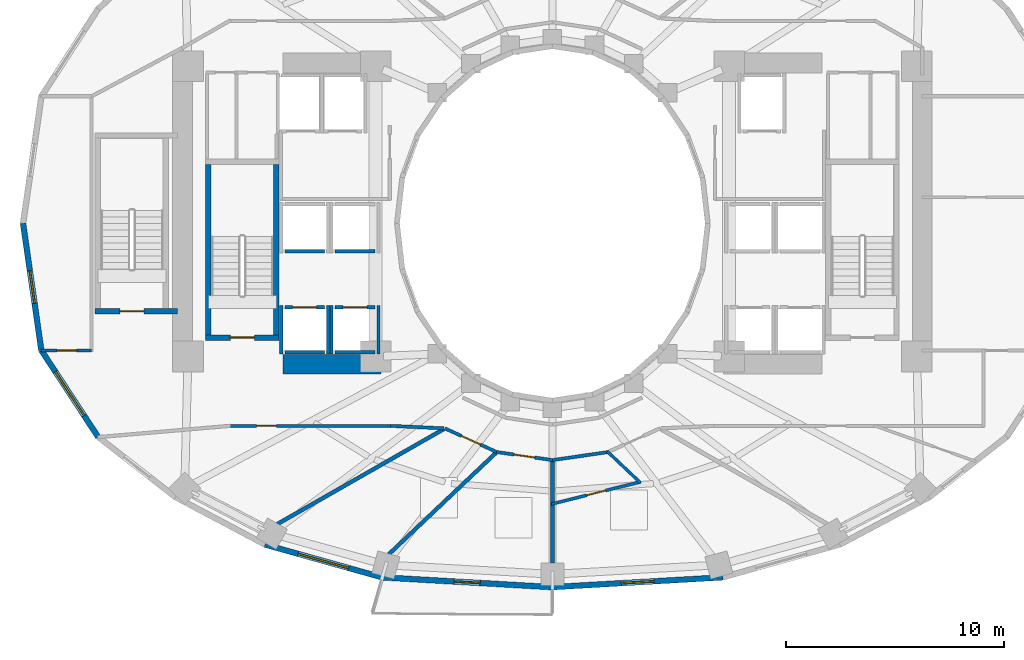
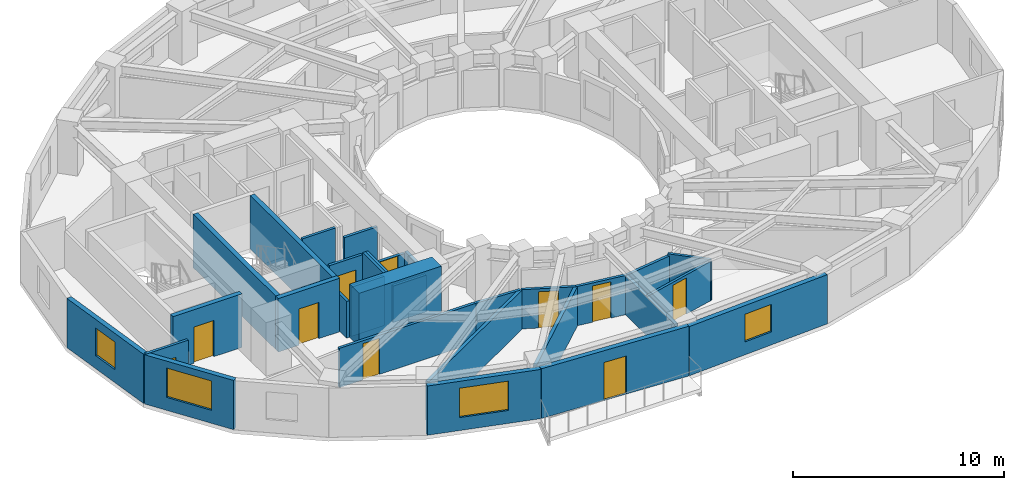
# One storey, part 3 of 9: 31 walls, 10 doors, 4 windows, 14 openings.
"""IFC4 building model written with IfcOpenShell, lengths in metres."""

from ifc_helpers import new_model, si_unit, direction, frame, frame_2d, origin, place, context, subcontext, project, spatial, rectangle, extrude, material, layer, layer_set, type_object, element, fill, save


model = new_model("IFC4")

# Units and contexts
model_context = context("Model", 3, precision=1e-05, world=origin(), true_north=direction((0.0, 1.0)))
body_context = subcontext(model_context, "Body", "Model", "MODEL_VIEW")
ifc_project = project(units=[si_unit("LENGTHUNIT", "METRE"), si_unit("AREAUNIT", "SQUARE_METRE"), si_unit("VOLUMEUNIT", "CUBIC_METRE"), si_unit("PLANEANGLEUNIT", "RADIAN"), si_unit("MASSUNIT", "GRAM", prefix="KILO")], contexts=[model_context])

# Site, building, storey
site_placement = place(None, origin())
site = spatial("IfcSite", under=ifc_project, at=site_placement, CompositionType="ELEMENT")
building_placement = place(site_placement, origin())
building = spatial("IfcBuilding", under=site, at=building_placement, Name="Solvane Sanctuary Tower", CompositionType="ELEMENT")
storey_placement = place(building_placement, frame((0.0, 0.0, 79.39990234375)))
storey = spatial("IfcBuildingStorey", under=building, at=storey_placement, Name="L23", CompositionType="ELEMENT", Elevation=79.39990234375)

# Wall
ifc_material_1 = material(Name="Concrete C70/85", Category="concrete")
ifc_layer_1 = layer(ifc_material_1, 0.89990234375, Name="Concrete C70/85")
ifc_layer_set_1 = layer_set([ifc_layer_1], Name="Concrete C70/85")
wall_type_1 = type_object("IfcWallType", Name="Wall W-CORE-900", PredefinedType="SHEAR", material=ifc_layer_set_1)
wall_1_placement = place(storey_placement, frame((19.64990234375, 16.550048828125, 0.0), z_axis=(0.0, 0.0, 1.0), x_axis=(1.0, 0.0, 0.0)))
element("IfcWall", 1, at=wall_1_placement, inside=storey, type_object=wall_type_1, Name="L23 Core Shear Wall WC-S", PredefinedType="SHEAR", context=body_context, shape_type="SweptSolid", body=[
    extrude(rectangle(XDim=4.5, YDim=0.89990234375, at=frame_2d((2.25, 0.0))), origin(), (0.0, 0.0, 1.0), 3.10009765625),
])

# Wall, opening, door
ifc_material_2 = material(Name="Acoustic Gypsum Partition Board")
ifc_layer_2 = layer(ifc_material_2, 0.14990234375, Name="Acoustic Gypsum Partition Board")
ifc_layer_set_2 = layer_set([ifc_layer_2], Name="Acoustic Gypsum Partition Board")
wall_type_2 = type_object("IfcWallType", Name="Wall W-CORR-150", PredefinedType="PARTITIONING", material=ifc_layer_set_2)
wall_2_placement = place(storey_placement, frame((8.558349609375, 17.1748046875, 0.0), z_axis=(0.0, 0.0, 1.0), x_axis=(1.0, 0.0, 0.0)))
wall_2 = element("IfcWall", 2, at=wall_2_placement, inside=storey, type_object=wall_type_2, Name="L23 West Shoulder South Wall", PredefinedType="PARTITIONING", context=body_context, shape_type="SweptSolid", body=[
    extrude(rectangle(XDim=2.321533203125, YDim=0.14990234375, at=frame_2d((1.16064453125, 0.0))), origin(), (0.0, 0.0, 1.0), 2.85498046875),
])
opening_1_placement = place(wall_2_placement, frame((0.739013671875, 0.0, 0.0)))
opening_1 = element("IfcOpeningElement", 3, at=opening_1_placement, cuts=wall_2, Name="Opening D-L23-14", PredefinedType="OPENING", context=body_context, shape_type="SweptSolid", body=[
    extrude(rectangle(XDim=0.89990234375, YDim=2.10009765625, at=frame_2d((0.449951171875, 1.050048828125))), frame((0.0, 0.0849609375, 0.0), z_axis=(0.0, -1.0, 0.0), x_axis=(1.0, 0.0, 0.0)), (0.0, 0.0, 1.0), 0.169921875),
])
ifc_material_3 = material(Name="Engineered Tropical Hardwood", Category="wood")
door_type_1 = type_object("IfcDoorType", Name="Door D-WET-900", OperationType="NOTDEFINED", PredefinedType="DOOR", material=ifc_material_3)
door_1_placement = place(opening_1_placement, origin())
door_1 = element("IfcDoor", 4, at=door_1_placement, inside=storey, type_object=door_type_1, Name="L23 West Shoulder South Door", OperationType="SINGLE_SWING_RIGHT", OverallHeight=2.10009765625, OverallWidth=0.89990234375, PredefinedType="DOOR", context=body_context, shape_type="SweptSolid", body=[
    extrude(rectangle(XDim=0.89990234375, YDim=2.10009765625, at=frame_2d((0.449951171875, 1.050048828125))), frame((0.0, 0.02490234375, 0.0), z_axis=(0.0, -1.0, 0.0), x_axis=(1.0, 0.0, 0.0)), (0.0, 0.0, 1.0), 0.050048828125),
])
fill(opening_1, door_1)

# Wall
wall_3_placement = place(storey_placement, frame((27.02001953125, 13.606201171875, 0.0), z_axis=(0.0, 0.0, 1.0), x_axis=(-0.998877427952, 0.047369651964, 0.0)))
element("IfcWall", 5, at=wall_3_placement, inside=storey, type_object=wall_type_2, Name="L23 SW Corner Throat Wall", PredefinedType="PARTITIONING", context=body_context, shape_type="SweptSolid", body=[
    extrude(rectangle(XDim=2.4326171875, YDim=0.14990234375, at=frame_2d((1.21630859375, 0.0))), origin(), (0.0, 0.0, 1.0), 2.272216796875),
])

# Wall, opening, door
wall_4_placement = place(storey_placement, frame((17.14990234375, 13.719970703125, 0.0), z_axis=(0.0, 0.0, 1.0), x_axis=(1.0, 0.0, 0.0)))
wall_4 = element("IfcWall", 6, at=wall_4_placement, inside=storey, type_object=wall_type_2, Name="L23 SW Corner Corridor Wall", PredefinedType="PARTITIONING", context=body_context, shape_type="SweptSolid", body=[
    extrude(rectangle(XDim=7.52001953125, YDim=0.14990234375, at=frame_2d((3.760009765625, 0.0))), origin(), (0.0, 0.0, 1.0), 2.272216796875),
])
opening_2_placement = place(wall_4_placement, frame((1.300048828125, 0.0, 0.0)))
opening_2 = element("IfcOpeningElement", 7, at=opening_2_placement, cuts=wall_4, Name="Opening D-L23-17", PredefinedType="OPENING", context=body_context, shape_type="SweptSolid", body=[
    extrude(rectangle(XDim=0.89990234375, YDim=2.10009765625, at=frame_2d((0.449951171875, 1.050048828125))), frame((0.0, 0.0849609375, 0.0), z_axis=(0.0, -1.0, 0.0), x_axis=(1.0, 0.0, 0.0)), (0.0, 0.0, 1.0), 0.169921875),
])
door_2_placement = place(opening_2_placement, origin())
door_2 = element("IfcDoor", 8, at=door_2_placement, inside=storey, type_object=door_type_1, Name="L23 SW Corner Salon Door", OperationType="SINGLE_SWING_LEFT", OverallHeight=2.10009765625, OverallWidth=0.89990234375, PredefinedType="DOOR", context=body_context, shape_type="SweptSolid", body=[
    extrude(rectangle(XDim=0.89990234375, YDim=2.10009765625, at=frame_2d((0.449951171875, 1.050048828125))), frame((0.0, 0.02490234375, 0.0), z_axis=(0.0, -1.0, 0.0), x_axis=(1.0, 0.0, 0.0)), (0.0, 0.0, 1.0), 0.050048828125),
])
fill(opening_2, door_2)

wall_5_placement = place(storey_placement, frame((27.069091796875, 13.607421875, 0.0), z_axis=(0.0, 0.0, 1.0), x_axis=(0.909747571199, -0.415161843982, 0.0)))
wall_5 = element("IfcWall", 9, at=wall_5_placement, inside=storey, type_object=wall_type_2, Name="L23 Unit Corridor Wall S1", PredefinedType="PARTITIONING", context=body_context, shape_type="SweptSolid", body=[
    extrude(rectangle(XDim=2.625, YDim=0.14990234375, at=frame_2d((1.3125, 0.0))), origin(), (0.0, 0.0, 1.0), 2.272216796875),
])
opening_3_placement = place(wall_5_placement, frame((0.837646484375, 0.0, 0.0)))
opening_3 = element("IfcOpeningElement", 10, at=opening_3_placement, cuts=wall_5, Name="Opening D-L23-23", PredefinedType="OPENING", context=body_context, shape_type="SweptSolid", body=[
    extrude(rectangle(XDim=0.949951171875, YDim=2.10009765625, at=frame_2d((0.47509765625, 1.050048828125))), frame((0.0, 0.0849609375, 0.0), z_axis=(0.0, -1.0, 0.0), x_axis=(1.0, 0.0, 0.0)), (0.0, 0.0, 1.0), 0.169921875),
])
door_type_2 = type_object("IfcDoorType", Name="Door D-ROOM-950", OperationType="NOTDEFINED", PredefinedType="DOOR", material=ifc_material_3)
door_3_placement = place(opening_3_placement, origin())
door_3 = element("IfcDoor", 11, at=door_3_placement, inside=storey, type_object=door_type_2, Name="L23 Unit Entrance Door S1", OperationType="SINGLE_SWING_LEFT", OverallHeight=2.10009765625, OverallWidth=0.949951171875, PredefinedType="DOOR", context=body_context, shape_type="SweptSolid", body=[
    extrude(rectangle(XDim=0.949951171875, YDim=2.10009765625, at=frame_2d((0.47509765625, 1.050048828125))), frame((0.0, 0.02490234375, 0.0), z_axis=(0.0, -1.0, 0.0), x_axis=(1.0, 0.0, 0.0)), (0.0, 0.0, 1.0), 0.050048828125),
])
fill(opening_3, door_3)

wall_6_placement = place(storey_placement, frame((29.444091796875, 12.521728515625, 0.0), z_axis=(0.0, 0.0, 1.0), x_axis=(0.989637894688, -0.143585644814, 0.0)))
wall_6 = element("IfcWall", 12, at=wall_6_placement, inside=storey, type_object=wall_type_2, Name="L23 Unit Corridor Wall S2", PredefinedType="PARTITIONING", context=body_context, shape_type="SweptSolid", body=[
    extrude(rectangle(XDim=2.589599609375, YDim=0.14990234375, at=frame_2d((1.294921875, 0.0))), origin(), (0.0, 0.0, 1.0), 2.272216796875),
])
opening_4_placement = place(wall_6_placement, frame((0.81982421875, 0.0, 0.0)))
opening_4 = element("IfcOpeningElement", 13, at=opening_4_placement, cuts=wall_6, Name="Opening D-L23-24", PredefinedType="OPENING", context=body_context, shape_type="SweptSolid", body=[
    extrude(rectangle(XDim=0.949951171875, YDim=2.10009765625, at=frame_2d((0.47509765625, 1.050048828125))), frame((0.0, 0.0849609375, 0.0), z_axis=(0.0, -1.0, 0.0), x_axis=(1.0, 0.0, 0.0)), (0.0, 0.0, 1.0), 0.169921875),
])
door_4_placement = place(opening_4_placement, origin())
door_4 = element("IfcDoor", 14, at=door_4_placement, inside=storey, type_object=door_type_2, Name="L23 Unit Entrance Door S2", OperationType="SINGLE_SWING_RIGHT", OverallHeight=2.10009765625, OverallWidth=0.949951171875, PredefinedType="DOOR", context=body_context, shape_type="SweptSolid", body=[
    extrude(rectangle(XDim=0.949951171875, YDim=2.10009765625, at=frame_2d((0.47509765625, 1.050048828125))), frame((0.0, 0.02490234375, 0.0), z_axis=(0.0, -1.0, 0.0), x_axis=(1.0, 0.0, 0.0)), (0.0, 0.0, 1.0), 0.050048828125),
])
fill(opening_4, door_4)

# Wall
wall_7_placement = place(storey_placement, frame((31.950439453125, 12.142822265625, 0.0), z_axis=(0.0, 0.0, 1.0), x_axis=(0.989649898776, 0.143502884474, 0.0)))
element("IfcWall", 15, at=wall_7_placement, inside=storey, type_object=wall_type_2, Name="L23 En-suite Inner Wall S3", PredefinedType="PARTITIONING", context=body_context, shape_type="SweptSolid", body=[
    extrude(rectangle(XDim=2.676025390625, YDim=0.14990234375, at=frame_2d((1.337890625, 0.0))), origin(), (0.0, 0.0, 1.0), 2.272216796875),
])

# Wall, opening, window
ifc_material_4 = material(Name="Precast concrete C40/50", Category="concrete")
ifc_layer_3 = layer(ifc_material_4, 0.260009765625, Name="Precast concrete C40/50")
ifc_layer_set_3 = layer_set([ifc_layer_3], Name="Precast concrete C40/50")
wall_type_3 = type_object("IfcWallType", Name="Wall W-EXT-250", PredefinedType="STANDARD", material=ifc_layer_set_3)
wall_8_placement = place(storey_placement, frame((7.739990234375, 23.0, 0.0), z_axis=(0.0, 0.0, 1.0), x_axis=(0.142572472068, -0.98978436551, 0.0)))
wall_8 = element("IfcWall", 16, at=wall_8_placement, inside=storey, type_object=wall_type_3, Name="L23 Ceramic-Printed Facade Wall 12", PredefinedType="STANDARD", context=body_context, shape_type="SweptSolid", body=[
    extrude(rectangle(XDim=5.878662109375, YDim=0.260009765625, at=frame_2d((2.939453125, 0.0))), origin(), (0.0, 0.0, 1.0), 2.85009765625),
])
opening_5_placement = place(wall_8_placement, frame((2.189453125, 0.0, 0.75)))
opening_5 = element("IfcOpeningElement", 17, at=opening_5_placement, cuts=wall_8, Name="Opening WN-OPER-1500", PredefinedType="OPENING", context=body_context, shape_type="SweptSolid", body=[
    extrude(rectangle(XDim=1.5, YDim=1.60009765625, at=frame_2d((0.75, 0.800048828125))), frame((0.0, 0.139892578125, 0.0), z_axis=(0.0, -1.0, 0.0), x_axis=(1.0, 0.0, 0.0)), (0.0, 0.0, 1.0), 0.280029296875),
])
ifc_material_5 = material(Name="Dark Ceramic-Fritted Low-E Glass", Category="glass")
window_type_1 = type_object("IfcWindowType", Name="Window WN-OPER-1500", PartitioningType="SINGLE_PANEL", PredefinedType="WINDOW", material=ifc_material_5)
window_1_placement = place(opening_5_placement, origin())
window_1 = element("IfcWindow", 18, at=window_1_placement, inside=storey, type_object=window_type_1, Name="L23 Operable Facade Window 12", OverallHeight=1.60009765625, OverallWidth=1.5, PartitioningType="SINGLE_PANEL", PredefinedType="WINDOW", context=body_context, shape_type="SweptSolid", body=[
    extrude(rectangle(XDim=1.5, YDim=1.60009765625, at=frame_2d((0.75, 0.800048828125))), frame((0.0, 0.030029296875, 0.0), z_axis=(0.0, -1.0, 0.0), x_axis=(1.0, 0.0, 0.0)), (0.0, 0.0, 1.0), 0.06005859375),
])
fill(opening_5, window_1)

wall_9_placement = place(storey_placement, frame((8.578125, 17.181396484375, 0.0), z_axis=(0.0, 0.0, 1.0), x_axis=(0.548283220945, -0.836292717672, 0.0)))
wall_9 = element("IfcWall", 19, at=wall_9_placement, inside=storey, type_object=wall_type_3, Name="L23 Ceramic-Printed Facade Wall 13", PredefinedType="STANDARD", context=body_context, shape_type="SweptSolid", body=[
    extrude(rectangle(XDim=4.744384765625, YDim=0.260009765625, at=frame_2d((2.3720703125, 0.0))), origin(), (0.0, 0.0, 1.0), 2.85009765625),
])
opening_6_placement = place(wall_9_placement, frame((1.172119140625, 0.0, 0.75)))
opening_6 = element("IfcOpeningElement", 20, at=opening_6_placement, cuts=wall_9, Name="Opening WN-RIB-2400", PredefinedType="OPENING", context=body_context, shape_type="SweptSolid", body=[
    extrude(rectangle(XDim=2.39990234375, YDim=1.699951171875, at=frame_2d((1.199951171875, 0.85009765625))), frame((0.0, 0.139892578125, 0.0), z_axis=(0.0, -1.0, 0.0), x_axis=(1.0, 0.0, 0.0)), (0.0, 0.0, 1.0), 0.280029296875),
])
window_type_2 = type_object("IfcWindowType", Name="Window WN-RIB-2400", PartitioningType="SINGLE_PANEL", PredefinedType="WINDOW", material=ifc_material_5)
window_2_placement = place(opening_6_placement, origin())
window_2 = element("IfcWindow", 21, at=window_2_placement, inside=storey, type_object=window_type_2, Name="L23 Operable Facade Window 13", OverallHeight=1.699951171875, OverallWidth=2.39990234375, PartitioningType="SINGLE_PANEL", PredefinedType="WINDOW", context=body_context, shape_type="SweptSolid", body=[
    extrude(rectangle(XDim=2.39990234375, YDim=1.699951171875, at=frame_2d((1.199951171875, 0.85009765625))), frame((0.0, 0.030029296875, 0.0), z_axis=(0.0, -1.0, 0.0), x_axis=(1.0, 0.0, 0.0)), (0.0, 0.0, 1.0), 0.06005859375),
])
fill(opening_6, window_2)

wall_10_placement = place(storey_placement, frame((18.82666015625, 8.27880859375, 0.0), z_axis=(0.0, 0.0, 1.0), x_axis=(0.962938491413, -0.269721081407, 0.0)))
wall_10 = element("IfcWall", 22, at=wall_10_placement, inside=storey, type_object=wall_type_3, Name="L23 Ceramic-Printed Facade Wall 16", PredefinedType="STANDARD", context=body_context, shape_type="SweptSolid", body=[
    extrude(rectangle(XDim=5.563232421875, YDim=0.260009765625, at=frame_2d((2.78173828125, 0.0))), origin(), (0.0, 0.0, 1.0), 2.85009765625),
])
opening_7_placement = place(wall_10_placement, frame((1.58154296875, 0.0, 0.75)))
opening_7 = element("IfcOpeningElement", 23, at=opening_7_placement, cuts=wall_10, Name="Opening WN-RIB-2400", PredefinedType="OPENING", context=body_context, shape_type="SweptSolid", body=[
    extrude(rectangle(XDim=2.39990234375, YDim=1.699951171875, at=frame_2d((1.199951171875, 0.85009765625))), frame((0.0, 0.139892578125, 0.0), z_axis=(0.0, -1.0, 0.0), x_axis=(1.0, 0.0, 0.0)), (0.0, 0.0, 1.0), 0.280029296875),
])
window_3_placement = place(opening_7_placement, origin())
window_3 = element("IfcWindow", 24, at=window_3_placement, inside=storey, type_object=window_type_2, Name="L23 Operable Facade Window 16", OverallHeight=1.699951171875, OverallWidth=2.39990234375, PartitioningType="SINGLE_PANEL", PredefinedType="WINDOW", context=body_context, shape_type="SweptSolid", body=[
    extrude(rectangle(XDim=2.39990234375, YDim=1.699951171875, at=frame_2d((1.199951171875, 0.85009765625))), frame((0.0, 0.030029296875, 0.0), z_axis=(0.0, -1.0, 0.0), x_axis=(1.0, 0.0, 0.0)), (0.0, 0.0, 1.0), 0.06005859375),
])
fill(opening_7, window_3)

# Wall, opening, door
wall_11_placement = place(storey_placement, frame((24.18359375, 6.7783203125, 0.0), z_axis=(0.0, 0.0, 1.0), x_axis=(0.998352606703, -0.057376586592, 0.0)))
wall_11 = element("IfcWall", 25, at=wall_11_placement, inside=storey, type_object=wall_type_3, Name="L23 Balcony Facade Wall SC", PredefinedType="STANDARD", context=body_context, shape_type="SweptSolid", body=[
    extrude(rectangle(XDim=7.829345703125, YDim=0.260009765625, at=frame_2d((3.91455078125, 0.0))), origin(), (0.0, 0.0, 1.0), 2.880126953125),
])
opening_8_placement = place(wall_11_placement, frame((3.314697265625, 0.0, 0.0)))
opening_8 = element("IfcOpeningElement", 26, at=opening_8_placement, cuts=wall_11, Name="Opening D-L23-02", PredefinedType="OPENING", context=body_context, shape_type="SweptSolid", body=[
    extrude(rectangle(XDim=1.199951171875, YDim=2.199951171875, at=frame_2d((0.60009765625, 1.10009765625))), frame((0.0, 0.139892578125, 0.0), z_axis=(0.0, -1.0, 0.0), x_axis=(1.0, 0.0, 0.0)), (0.0, 0.0, 1.0), 0.280029296875),
])
ifc_material_6 = material(Name="Anodised Aluminium 6063-T6", Category="aluminium")
door_type_3 = type_object("IfcDoorType", Name="Door D-BALC-1200", OperationType="NOTDEFINED", PredefinedType="DOOR", material=ifc_material_6)
door_5_placement = place(opening_8_placement, origin())
door_5 = element("IfcDoor", 27, at=door_5_placement, inside=storey, type_object=door_type_3, Name="L23 Glazed Balcony Door SC", OperationType="SINGLE_SWING_LEFT", OverallHeight=2.199951171875, OverallWidth=1.199951171875, PredefinedType="DOOR", context=body_context, shape_type="SweptSolid", body=[
    extrude(rectangle(XDim=1.199951171875, YDim=2.199951171875, at=frame_2d((0.60009765625, 1.10009765625))), frame((0.0, 0.02490234375, 0.0), z_axis=(0.0, -1.0, 0.0), x_axis=(1.0, 0.0, 0.0)), (0.0, 0.0, 1.0), 0.050048828125),
])
fill(opening_8, door_5)

# Wall, opening, window
wall_12_placement = place(storey_placement, frame((32.0, 6.3291015625, 0.0), z_axis=(0.0, 0.0, 1.0), x_axis=(0.998352606703, 0.057376586592, 0.0)))
wall_12 = element("IfcWall", 28, at=wall_12_placement, inside=storey, type_object=wall_type_3, Name="L23 Ceramic-Printed Facade Wall 18", PredefinedType="STANDARD", context=body_context, shape_type="SweptSolid", body=[
    extrude(rectangle(XDim=7.829345703125, YDim=0.260009765625, at=frame_2d((3.91455078125, 0.0))), origin(), (0.0, 0.0, 1.0), 2.85009765625),
])
opening_9_placement = place(wall_12_placement, frame((3.16455078125, 0.0, 0.75)))
opening_9 = element("IfcOpeningElement", 29, at=opening_9_placement, cuts=wall_12, Name="Opening WN-OPER-1500", PredefinedType="OPENING", context=body_context, shape_type="SweptSolid", body=[
    extrude(rectangle(XDim=1.5, YDim=1.60009765625, at=frame_2d((0.75, 0.800048828125))), frame((0.0, 0.139892578125, 0.0), z_axis=(0.0, -1.0, 0.0), x_axis=(1.0, 0.0, 0.0)), (0.0, 0.0, 1.0), 0.280029296875),
])
window_4_placement = place(opening_9_placement, origin())
window_4 = element("IfcWindow", 30, at=window_4_placement, inside=storey, type_object=window_type_1, Name="L23 Operable Facade Window 18", OverallHeight=1.60009765625, OverallWidth=1.5, PartitioningType="SINGLE_PANEL", PredefinedType="WINDOW", context=body_context, shape_type="SweptSolid", body=[
    extrude(rectangle(XDim=1.5, YDim=1.60009765625, at=frame_2d((0.75, 0.800048828125))), frame((0.0, 0.030029296875, 0.0), z_axis=(0.0, -1.0, 0.0), x_axis=(1.0, 0.0, 0.0)), (0.0, 0.0, 1.0), 0.06005859375),
])
fill(opening_9, window_4)

# Wall, opening, door
ifc_material_7 = material(Name="Concrete C50/60", Category="concrete")
ifc_layer_4 = layer(ifc_material_7, 0.14990234375, Name="Concrete C50/60")
ifc_layer_set_4 = layer_set([ifc_layer_4], Name="Concrete C50/60")
wall_type_4 = type_object("IfcWallType", Name="Wall W-SHAFT-150", PredefinedType="SOLIDWALL", material=ifc_layer_set_4)
wall_13_placement = place(storey_placement, frame((19.739990234375, 19.159912109375, 0.0), z_axis=(0.0, 0.0, 1.0), x_axis=(1.0, 0.0, 0.0)))
wall_13 = element("IfcWall", 31, at=wall_13_placement, inside=storey, type_object=wall_type_4, Name="L23 PL-1 Lift Shaft Wall F", PredefinedType="SOLIDWALL", context=body_context, shape_type="SweptSolid", body=[
    extrude(rectangle(XDim=1.820068359375, YDim=0.14990234375, at=frame_2d((0.91015625, 0.0))), origin(), (0.0, 0.0, 1.0), 2.85498046875),
])
opening_10_placement = place(wall_13_placement, frame((0.360107421875, 0.0, 0.0)))
opening_10 = element("IfcOpeningElement", 32, at=opening_10_placement, cuts=wall_13, Name="Opening LD-L23-01", PredefinedType="OPENING", context=body_context, shape_type="SweptSolid", body=[
    extrude(rectangle(XDim=1.10009765625, YDim=2.10009765625, at=frame_2d((0.550048828125, 1.050048828125))), frame((0.0, 0.0849609375, 0.0), z_axis=(0.0, -1.0, 0.0), x_axis=(1.0, 0.0, 0.0)), (0.0, 0.0, 1.0), 0.169921875),
])
ifc_material_8 = material(Name="Architectural Stainless Steel 316", Category="steel")
door_type_4 = type_object("IfcDoorType", Name="Door LD-PASS-1100", OperationType="NOTDEFINED", PredefinedType="DOOR", material=ifc_material_8)
door_6_placement = place(opening_10_placement, origin())
door_6 = element("IfcDoor", 33, at=door_6_placement, inside=storey, type_object=door_type_4, Name="L23 PL-1 Lift Landing Door", OperationType="DOUBLE_DOOR_SLIDING", OverallHeight=2.10009765625, OverallWidth=1.10009765625, PredefinedType="DOOR", context=body_context, shape_type="SweptSolid", body=[
    extrude(rectangle(XDim=1.10009765625, YDim=2.10009765625, at=frame_2d((0.550048828125, 1.050048828125))), frame((0.0, 0.02490234375, 0.0), z_axis=(0.0, -1.0, 0.0), x_axis=(1.0, 0.0, 0.0)), (0.0, 0.0, 1.0), 0.050048828125),
])
fill(opening_10, door_6)

# Walls
wall_14_placement = place(storey_placement, frame((19.739990234375, 17.10009765625, 0.0), z_axis=(0.0, 0.0, 1.0), x_axis=(1.0, 0.0, 0.0)))
element("IfcWall", 34, at=wall_14_placement, inside=storey, type_object=wall_type_4, Name="L23 PL-1 Lift Shaft Wall B", PredefinedType="SOLIDWALL", context=body_context, shape_type="SweptSolid", body=[
    extrude(rectangle(XDim=1.820068359375, YDim=0.14990234375, at=frame_2d((0.91015625, 0.0))), origin(), (0.0, 0.0, 1.0), 2.85498046875),
])
wall_15_placement = place(storey_placement, frame((19.570068359375, 17.02001953125, 0.0), z_axis=(0.0, 0.0, 1.0), x_axis=(0.0, 1.0, 0.0)))
element("IfcWall", 35, at=wall_15_placement, inside=storey, type_object=wall_type_4, Name="L23 PL-1 Lift Shaft Wall S1", PredefinedType="SOLIDWALL", context=body_context, shape_type="SweptSolid", body=[
    extrude(rectangle(XDim=2.219970703125, YDim=0.14990234375, at=frame_2d((1.10986328125, 0.0))), origin(), (0.0, 0.0, 1.0), 2.1201171875),
])
wall_16_placement = place(storey_placement, frame((21.72998046875, 17.02001953125, 0.0), z_axis=(0.0, 0.0, 1.0), x_axis=(0.0, 1.0, 0.0)))
element("IfcWall", 36, at=wall_16_placement, inside=storey, type_object=wall_type_4, Name="L23 PL-1 Lift Shaft Wall S2", PredefinedType="SOLIDWALL", context=body_context, shape_type="SweptSolid", body=[
    extrude(rectangle(XDim=2.219970703125, YDim=0.14990234375, at=frame_2d((1.10986328125, 0.0))), origin(), (0.0, 0.0, 1.0), 2.85498046875),
])

# Wall, opening, door
wall_17_placement = place(storey_placement, frame((22.0400390625, 19.159912109375, 0.0), z_axis=(0.0, 0.0, 1.0), x_axis=(1.0, 0.0, 0.0)))
wall_17 = element("IfcWall", 37, at=wall_17_placement, inside=storey, type_object=wall_type_4, Name="L23 PL-2 Lift Shaft Wall F", PredefinedType="SOLIDWALL", context=body_context, shape_type="SweptSolid", body=[
    extrude(rectangle(XDim=1.820068359375, YDim=0.14990234375, at=frame_2d((0.91015625, 0.0))), origin(), (0.0, 0.0, 1.0), 2.1201171875),
])
opening_11_placement = place(wall_17_placement, frame((0.360107421875, 0.0, 0.0)))
opening_11 = element("IfcOpeningElement", 38, at=opening_11_placement, cuts=wall_17, Name="Opening LD-L23-02", PredefinedType="OPENING", context=body_context, shape_type="SweptSolid", body=[
    extrude(rectangle(XDim=1.10009765625, YDim=2.10009765625, at=frame_2d((0.550048828125, 1.050048828125))), frame((0.0, 0.0849609375, 0.0), z_axis=(0.0, -1.0, 0.0), x_axis=(1.0, 0.0, 0.0)), (0.0, 0.0, 1.0), 0.169921875),
])
door_7_placement = place(opening_11_placement, origin())
door_7 = element("IfcDoor", 39, at=door_7_placement, inside=storey, type_object=door_type_4, Name="L23 PL-2 Lift Landing Door", OperationType="DOUBLE_DOOR_SLIDING", OverallHeight=2.10009765625, OverallWidth=1.10009765625, PredefinedType="DOOR", context=body_context, shape_type="SweptSolid", body=[
    extrude(rectangle(XDim=1.10009765625, YDim=2.10009765625, at=frame_2d((0.550048828125, 1.050048828125))), frame((0.0, 0.02490234375, 0.0), z_axis=(0.0, -1.0, 0.0), x_axis=(1.0, 0.0, 0.0)), (0.0, 0.0, 1.0), 0.050048828125),
])
fill(opening_11, door_7)

# Walls
wall_18_placement = place(storey_placement, frame((22.0400390625, 17.10009765625, 0.0), z_axis=(0.0, 0.0, 1.0), x_axis=(1.0, 0.0, 0.0)))
element("IfcWall", 40, at=wall_18_placement, inside=storey, type_object=wall_type_4, Name="L23 PL-2 Lift Shaft Wall B", PredefinedType="SOLIDWALL", context=body_context, shape_type="SweptSolid", body=[
    extrude(rectangle(XDim=1.820068359375, YDim=0.14990234375, at=frame_2d((0.91015625, 0.0))), origin(), (0.0, 0.0, 1.0), 2.1201171875),
])
wall_19_placement = place(storey_placement, frame((21.8701171875, 17.02001953125, 0.0), z_axis=(0.0, 0.0, 1.0), x_axis=(0.0, 1.0, 0.0)))
element("IfcWall", 41, at=wall_19_placement, inside=storey, type_object=wall_type_4, Name="L23 PL-2 Lift Shaft Wall S1", PredefinedType="SOLIDWALL", context=body_context, shape_type="SweptSolid", body=[
    extrude(rectangle(XDim=2.219970703125, YDim=0.14990234375, at=frame_2d((1.10986328125, 0.0))), origin(), (0.0, 0.0, 1.0), 2.85498046875),
])
wall_20_placement = place(storey_placement, frame((24.030029296875, 17.02001953125, 0.0), z_axis=(0.0, 0.0, 1.0), x_axis=(0.0, 1.0, 0.0)))
element("IfcWall", 42, at=wall_20_placement, inside=storey, type_object=wall_type_4, Name="L23 PL-2 Lift Shaft Wall S2", PredefinedType="SOLIDWALL", context=body_context, shape_type="SweptSolid", body=[
    extrude(rectangle(XDim=2.219970703125, YDim=0.14990234375, at=frame_2d((1.10986328125, 0.0))), origin(), (0.0, 0.0, 1.0), 2.1201171875),
])
wall_21_placement = place(storey_placement, frame((19.739990234375, 21.719970703125, 0.0), z_axis=(0.0, 0.0, 1.0), x_axis=(1.0, 0.0, 0.0)))
element("IfcWall", 43, at=wall_21_placement, inside=storey, type_object=wall_type_4, Name="L23 PM-1 Lift Shaft Wall F", PredefinedType="SOLIDWALL", context=body_context, shape_type="SweptSolid", body=[
    extrude(rectangle(XDim=1.820068359375, YDim=0.14990234375, at=frame_2d((0.91015625, 0.0))), origin(), (0.0, 0.0, 1.0), 2.85498046875),
])
wall_22_placement = place(storey_placement, frame((22.0400390625, 21.719970703125, 0.0), z_axis=(0.0, 0.0, 1.0), x_axis=(1.0, 0.0, 0.0)))
element("IfcWall", 44, at=wall_22_placement, inside=storey, type_object=wall_type_4, Name="L23 PH-1 Lift Shaft Wall F", PredefinedType="SOLIDWALL", context=body_context, shape_type="SweptSolid", body=[
    extrude(rectangle(XDim=1.820068359375, YDim=0.14990234375, at=frame_2d((0.91015625, 0.0))), origin(), (0.0, 0.0, 1.0), 2.1201171875),
])

# Wall, opening, door
ifc_layer_5 = layer(ifc_material_7, 0.25, Name="Concrete C50/60")
ifc_layer_set_5 = layer_set([ifc_layer_5], Name="Concrete C50/60")
wall_type_5 = type_object("IfcWallType", Name="Wall W-SHAFT-250", PredefinedType="SOLIDWALL", material=ifc_layer_set_5)
wall_23_placement = place(storey_placement, frame((16.10498046875, 17.77001953125, 0.0), z_axis=(0.0, 0.0, 1.0), x_axis=(1.0, 0.0, 0.0)))
wall_23 = element("IfcWall", 45, at=wall_23_placement, inside=storey, type_object=wall_type_5, Name="L23 ST-1 Load-Bearing Shaft Wall S", PredefinedType="SOLIDWALL", context=body_context, shape_type="SweptSolid", body=[
    extrude(rectangle(XDim=3.3701171875, YDim=0.25, at=frame_2d((1.68505859375, 0.0))), origin(), (0.0, 0.0, 1.0), 3.10009765625),
])
opening_12_placement = place(wall_23_placement, frame((1.135009765625, 0.0, 0.0)))
opening_12 = element("IfcOpeningElement", 46, at=opening_12_placement, cuts=wall_23, Name="Opening D-L23-03", PredefinedType="OPENING", context=body_context, shape_type="SweptSolid", body=[
    extrude(rectangle(XDim=1.10009765625, YDim=2.10009765625, at=frame_2d((0.550048828125, 1.050048828125))), frame((0.0, 0.135009765625, 0.0), z_axis=(0.0, -1.0, 0.0), x_axis=(1.0, 0.0, 0.0)), (0.0, 0.0, 1.0), 0.27001953125),
])
door_type_5 = type_object("IfcDoorType", Name="Door D-STAIR", OperationType="NOTDEFINED", PredefinedType="DOOR", material=ifc_material_8)
door_8_placement = place(opening_12_placement, origin())
door_8 = element("IfcDoor", 47, at=door_8_placement, inside=storey, type_object=door_type_5, Name="L23 ST-1 Exit Stair Fire Door", OperationType="SINGLE_SWING_LEFT", OverallHeight=2.10009765625, OverallWidth=1.10009765625, PredefinedType="DOOR", context=body_context, shape_type="SweptSolid", body=[
    extrude(rectangle(XDim=1.10009765625, YDim=2.10009765625, at=frame_2d((0.550048828125, 1.050048828125))), frame((0.0, 0.02490234375, 0.0), z_axis=(0.0, -1.0, 0.0), x_axis=(1.0, 0.0, 0.0)), (0.0, 0.0, 1.0), 0.050048828125),
])
fill(opening_12, door_8)

# Walls
for number, where, z_axis, x_axis, name in (
    (48, (16.22998046875, 17.89501953125, 0.0), (0.0, 0.0, 1.0), (0.0, 1.0, 0.0), "L23 ST-1 Load-Bearing Shaft Wall W"),
    (49, (19.35009765625, 17.89501953125, 0.0), (0.0, 0.0, 1.0), (0.0, 1.0, 0.0), "L23 ST-1 Load-Bearing Shaft Wall E"),
):
    element("IfcWall", number, at=place(storey_placement, frame(where, z_axis=z_axis, x_axis=x_axis)), inside=storey, type_object=wall_type_5, Name=name, PredefinedType="SOLIDWALL", context=body_context, shape_type="SweptSolid", body=[
        extrude(rectangle(XDim=7.81005859375, YDim=0.25, at=frame_2d((3.905029296875, 0.0))), origin(), (0.0, 0.0, 1.0), 3.10009765625),
    ])

# Wall, opening, door
wall_24_placement = place(storey_placement, frame((11.044921875, 18.969970703125, 0.0), z_axis=(0.0, 0.0, 1.0), x_axis=(1.0, 0.0, 0.0)))
wall_24 = element("IfcWall", 50, at=wall_24_placement, inside=storey, type_object=wall_type_5, Name="L23 ST-3 Load-Bearing Shaft Wall S", PredefinedType="SOLIDWALL", context=body_context, shape_type="SweptSolid", body=[
    extrude(rectangle(XDim=3.781982421875, YDim=0.25, at=frame_2d((1.89111328125, 0.0))), origin(), (0.0, 0.0, 1.0), 3.10009765625),
])
opening_13_placement = place(wall_24_placement, frame((1.135009765625, 0.0, 0.0)))
opening_13 = element("IfcOpeningElement", 51, at=opening_13_placement, cuts=wall_24, Name="Opening D-L23-05", PredefinedType="OPENING", context=body_context, shape_type="SweptSolid", body=[
    extrude(rectangle(XDim=1.10009765625, YDim=2.10009765625, at=frame_2d((0.550048828125, 1.050048828125))), frame((0.0, 0.135009765625, 0.0), z_axis=(0.0, -1.0, 0.0), x_axis=(1.0, 0.0, 0.0)), (0.0, 0.0, 1.0), 0.27001953125),
])
door_9_placement = place(opening_13_placement, origin())
door_9 = element("IfcDoor", 52, at=door_9_placement, inside=storey, type_object=door_type_5, Name="L23 ST-3 Exit Stair Fire Door", OperationType="SINGLE_SWING_LEFT", OverallHeight=2.10009765625, OverallWidth=1.10009765625, PredefinedType="DOOR", context=body_context, shape_type="SweptSolid", body=[
    extrude(rectangle(XDim=1.10009765625, YDim=2.10009765625, at=frame_2d((0.550048828125, 1.050048828125))), frame((0.0, 0.02490234375, 0.0), z_axis=(0.0, -1.0, 0.0), x_axis=(1.0, 0.0, 0.0)), (0.0, 0.0, 1.0), 0.050048828125),
])
fill(opening_13, door_9)

# Walls
ifc_layer_6 = layer(ifc_material_2, 0.179931640625, Name="Acoustic Gypsum Partition Board")
ifc_layer_set_6 = layer_set([ifc_layer_6], Name="Acoustic Gypsum Partition Board")
wall_type_6 = type_object("IfcWallType", Name="Wall W-UNIT-180", PredefinedType="PARTITIONING", material=ifc_layer_set_6)
wall_25_placement = place(storey_placement, frame((27.027099609375, 13.576416015625, 0.0), z_axis=(0.0, 0.0, 1.0), x_axis=(-0.868484076301, -0.495717065685, 0.0)))
element("IfcWall", 53, at=wall_25_placement, inside=storey, type_object=wall_type_6, Name="L23 Radial Compartment Wall 240", PredefinedType="PARTITIONING", context=body_context, shape_type="SweptSolid", body=[
    extrude(rectangle(XDim=8.78857421875, YDim=0.179931640625, at=frame_2d((4.394287109375, 0.0))), origin(), (0.0, 0.0, 1.0), 2.272216796875),
])
wall_26_placement = place(storey_placement, frame((29.41064453125, 12.48193359375, 0.0), z_axis=(0.0, 0.0, 1.0), x_axis=(-0.726306601605, -0.687370875485, 0.0)))
element("IfcWall", 54, at=wall_26_placement, inside=storey, type_object=wall_type_6, Name="L23 Radial Compartment Wall 255", PredefinedType="PARTITIONING", context=body_context, shape_type="SweptSolid", body=[
    extrude(rectangle(XDim=6.759521484375, YDim=0.179931640625, at=frame_2d((3.3798828125, 0.0))), origin(), (0.0, 0.0, 1.0), 2.272216796875),
])
wall_27_placement = place(storey_placement, frame((32.0, 12.094970703125, 0.0), z_axis=(0.0, 0.0, 1.0), x_axis=(0.0, -1.0, 0.0)))
element("IfcWall", 55, at=wall_27_placement, inside=storey, type_object=wall_type_6, Name="L23 Radial Compartment Wall 270", PredefinedType="PARTITIONING", context=body_context, shape_type="SweptSolid", body=[
    extrude(rectangle(XDim=4.669921875, YDim=0.179931640625, at=frame_2d((2.3349609375, 0.0))), origin(), (0.0, 0.0, 1.0), 2.272216796875),
])
ifc_layer_7 = layer(ifc_material_2, 0.139892578125, Name="Acoustic Gypsum Partition Board")
ifc_layer_set_7 = layer_set([ifc_layer_7], Name="Acoustic Gypsum Partition Board")
wall_type_7 = type_object("IfcWallType", Name="Wall W-WET-140", PredefinedType="PLUMBINGWALL", material=ifc_layer_set_7)
wall_28_placement = place(storey_placement, frame((34.51318359375, 12.55419921875, 0.0), z_axis=(0.0, 0.0, 1.0), x_axis=(0.72625505062, -0.687425342455, 0.0)))
element("IfcWall", 56, at=wall_28_placement, inside=storey, type_object=wall_type_7, Name="L23 En-suite Side Partition S3", PredefinedType="PLUMBINGWALL", context=body_context, shape_type="SweptSolid", body=[
    extrude(rectangle(XDim=2.10009765625, YDim=0.139892578125, at=frame_2d((1.050048828125, 0.0))), origin(), (0.0, 0.0, 1.0), 2.385009765625),
])

# Wall, opening, door
wall_29_placement = place(storey_placement, frame((31.951416015625, 10.137939453125, 0.0), z_axis=(0.0, 0.0, 1.0), x_axis=(0.970461257599, 0.241257015439, 0.0)))
wall_29 = element("IfcWall", 57, at=wall_29_placement, inside=storey, type_object=wall_type_7, Name="L23 En-suite Bedroom Wall S3", PredefinedType="PLUMBINGWALL", context=body_context, shape_type="SweptSolid", body=[
    extrude(rectangle(XDim=4.223876953125, YDim=0.139892578125, at=frame_2d((2.11181640625, 0.0))), origin(), (0.0, 0.0, 1.0), 2.272216796875),
])
opening_14_placement = place(wall_29_placement, frame((1.661865234375, 0.0, 0.0)))
opening_14 = element("IfcOpeningElement", 58, at=opening_14_placement, cuts=wall_29, Name="Opening D-L23-25", PredefinedType="OPENING", context=body_context, shape_type="SweptSolid", body=[
    extrude(rectangle(XDim=0.89990234375, YDim=2.10009765625, at=frame_2d((0.449951171875, 1.050048828125))), frame((0.0, 0.079833984375, 0.0), z_axis=(0.0, -1.0, 0.0), x_axis=(1.0, 0.0, 0.0)), (0.0, 0.0, 1.0), 0.159912109375),
])
door_10_placement = place(opening_14_placement, origin())
door_10 = element("IfcDoor", 59, at=door_10_placement, inside=storey, type_object=door_type_1, Name="L23 En-suite Bathroom Door S3", OperationType="SINGLE_SWING_LEFT", OverallHeight=2.10009765625, OverallWidth=0.89990234375, PredefinedType="DOOR", context=body_context, shape_type="SweptSolid", body=[
    extrude(rectangle(XDim=0.89990234375, YDim=2.10009765625, at=frame_2d((0.449951171875, 1.050048828125))), frame((0.0, 0.02490234375, 0.0), z_axis=(0.0, -1.0, 0.0), x_axis=(1.0, 0.0, 0.0)), (0.0, 0.0, 1.0), 0.050048828125),
])
fill(opening_14, door_10)

save(model, "model.ifc")
